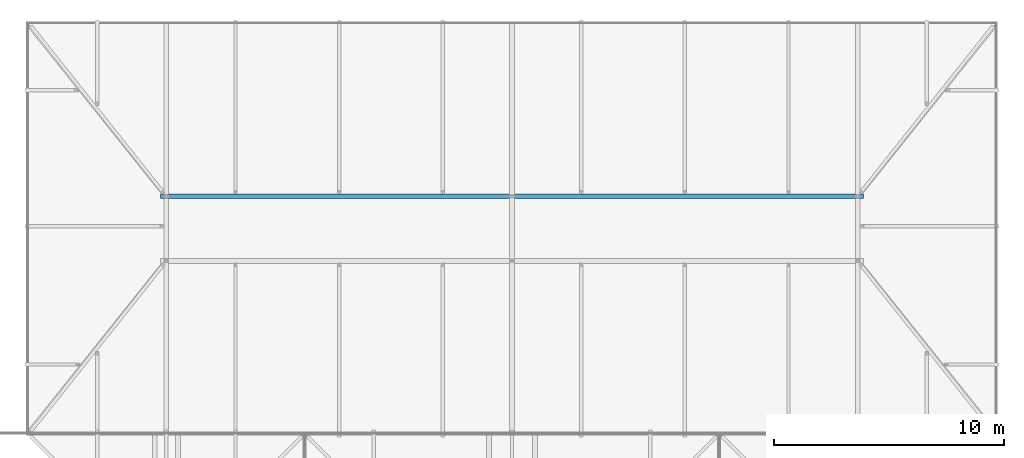
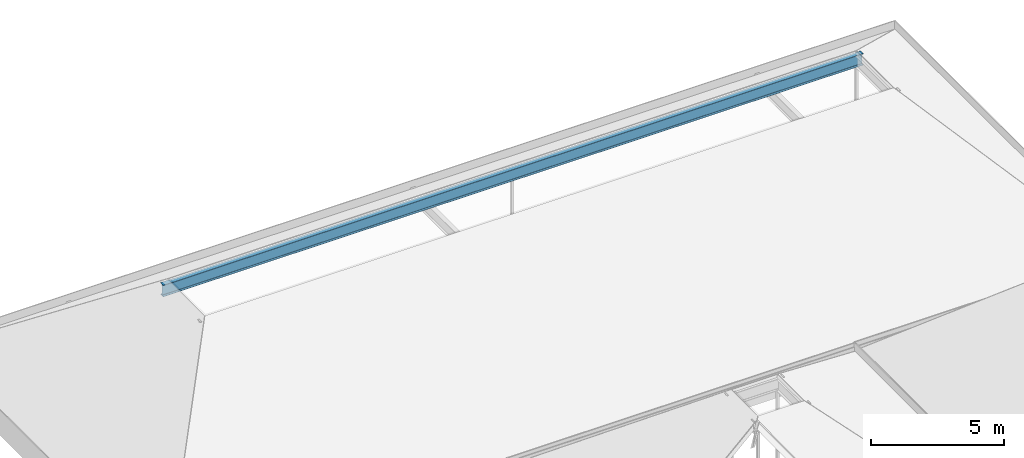
# One storey, part 29 of 57: 1 beam.
"""IFC4 building model written with IfcOpenShell, lengths in metres."""

from ifc_helpers import new_model, si_unit, direction, frame, origin, origin_2d, place, context, subcontext, project, spatial, i_section, extrude, material, material_profile, profile_set, type_object, element, save


model = new_model("IFC4")

# Units and contexts
model_context = context("Model", 3, precision=1e-05, world=origin(), true_north=direction((0.0, 1.0)))
body_context = subcontext(model_context, "Body", "Model", "MODEL_VIEW")
ifc_project = project(units=[si_unit("LENGTHUNIT", "METRE"), si_unit("AREAUNIT", "SQUARE_METRE"), si_unit("VOLUMEUNIT", "CUBIC_METRE"), si_unit("PLANEANGLEUNIT", "RADIAN"), si_unit("MASSUNIT", "GRAM", prefix="KILO")], contexts=[model_context])

# Site, building, storey
site_placement = place(None, origin())
site = spatial("IfcSite", under=ifc_project, at=site_placement, CompositionType="ELEMENT")
building_placement = place(site_placement, origin())
building = spatial("IfcBuilding", under=site, at=building_placement, Name="Saffron Lane Theatres", CompositionType="ELEMENT")
storey_placement = place(building_placement, frame((0.0, 0.0, 28.0)))
storey = spatial("IfcBuildingStorey", under=building, at=storey_placement, Name="Upper Roof", CompositionType="ELEMENT", Elevation=28.0)

# Beam
ifc_material = material(Name="Steel Grade 350", Category="steel")
ifc_material_profile = material_profile(ifc_material, i_section(OverallWidth=0.208984375, OverallDepth=0.532958984375, WebThickness=0.01025390625, FlangeThickness=0.015625, FilletRadius=0.013916015625, at=origin_2d()))
ifc_profile_set = profile_set([ifc_material_profile], Name="Steel Grade 350")
beam_type = type_object("IfcBeamType", Name="ST-CROWN GIRDER 530UB92.4", PredefinedType="BEAM", material=ifc_profile_set)
beam_placement = place(storey_placement, frame((17.75, 118.300048828125, 5.693115234375), z_axis=(1.0, 0.0, 0.0), x_axis=(0.0, 1.0, 0.0)))
element("IfcBeam", 1, at=beam_placement, inside=storey, type_object=beam_type, Name="BK4-C2", PredefinedType="BEAM", context=body_context, shape_type="SweptSolid", body=[
    extrude(i_section(OverallWidth=0.208984375, OverallDepth=0.532958984375, WebThickness=0.01025390625, FlangeThickness=0.015625, FilletRadius=0.013916015625, at=origin_2d()), origin(), (0.0, 0.0, 1.0), 30.5),
])

save(model, "model.ifc")
